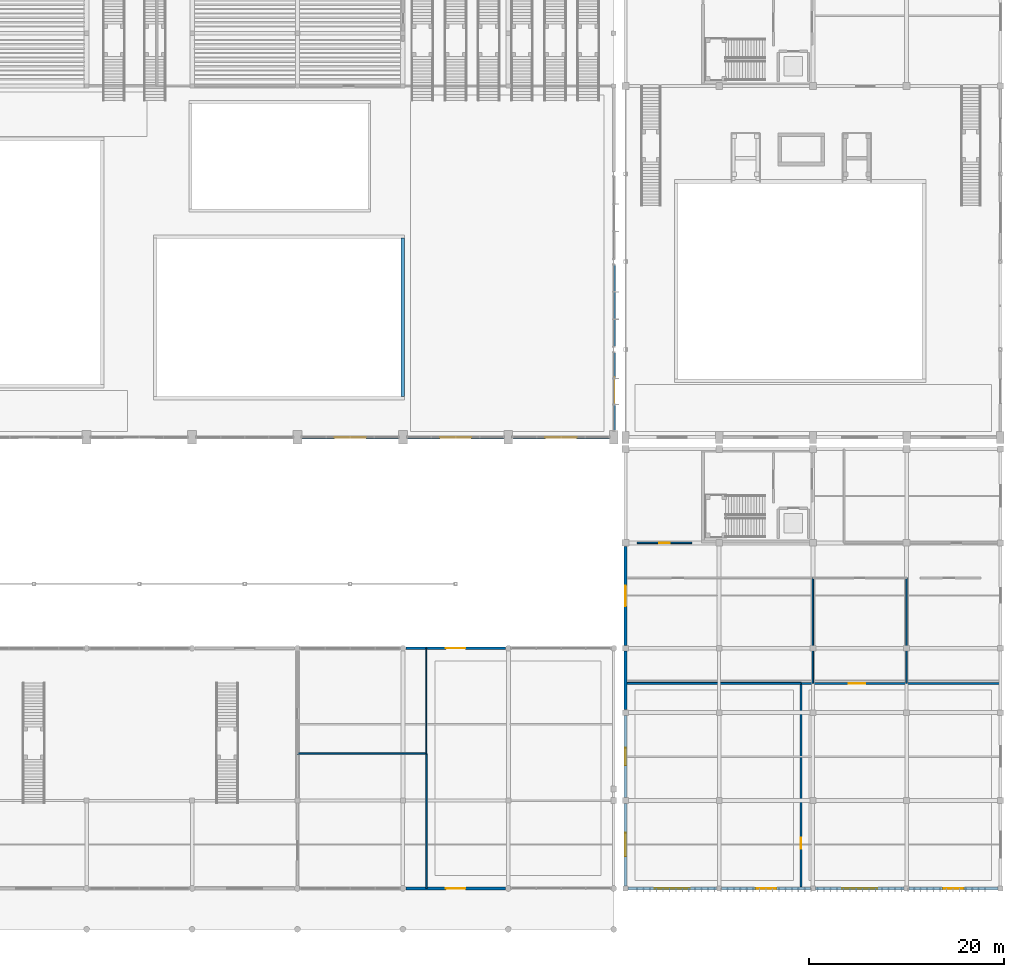
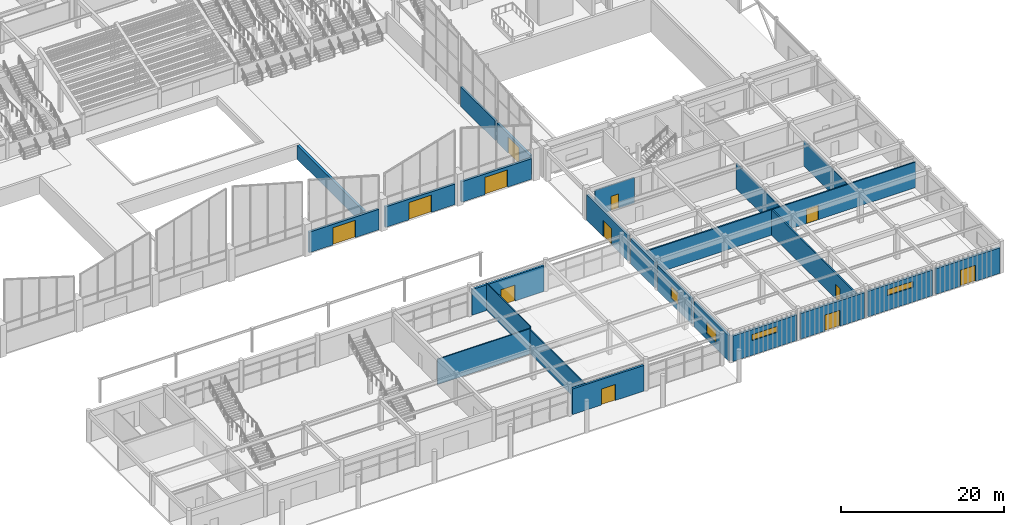
# One storey, part 57 of 82: 25 walls, 12 doors, 4 windows, 16 openings.
"""IFC4 building model written with IfcOpenShell, lengths in metres."""

from ifc_helpers import new_model, si_unit, direction, frame, frame_2d, origin, place, context, subcontext, project, spatial, rectangle, extrude, material, layer, layer_set, type_object, element, fill, save


model = new_model("IFC4")

# Units and contexts
model_context = context("Model", 3, precision=1e-05, world=origin(), true_north=direction((0.0, 1.0)))
body_context = subcontext(model_context, "Body", "Model", "MODEL_VIEW")
ifc_project = project(units=[si_unit("LENGTHUNIT", "METRE"), si_unit("AREAUNIT", "SQUARE_METRE"), si_unit("VOLUMEUNIT", "CUBIC_METRE"), si_unit("PLANEANGLEUNIT", "RADIAN"), si_unit("MASSUNIT", "GRAM", prefix="KILO")], contexts=[model_context])

# Site, building, storey
site_placement = place(None, origin())
site = spatial("IfcSite", under=ifc_project, at=site_placement, CompositionType="ELEMENT")
building_placement = place(site_placement, origin())
building = spatial("IfcBuilding", under=site, at=building_placement, Name="Suirenkawa Promenade Aquatics Centre", CompositionType="ELEMENT")
storey_placement = place(building_placement, origin())
storey = spatial("IfcBuildingStorey", under=building, at=storey_placement, Name="L00", CompositionType="ELEMENT", Elevation=0.0)

# Wall, opening, door
ifc_material_1 = material(Name="Autoclaved aerated concrete blockwork Grade 1", Category="masonry")
ifc_layer_1 = layer(ifc_material_1, 0.199951171875, Name="Autoclaved aerated concrete blockwork Grade 1", Category="masonry")
ifc_layer_set_1 = layer_set([ifc_layer_1], Name="Autoclaved aerated concrete blockwork Grade 1")
wall_type_1 = type_object("IfcWallType", Name="WT-COMP-200", PredefinedType="PARTITIONING", material=ifc_layer_set_1)
wall_1_placement = place(storey_placement, frame((174.0, 4.199951171875, 0.0), z_axis=(0.0, 0.0, 1.0), x_axis=(0.0, 1.0, 0.0)))
wall_1 = element("IfcWall", 1, at=wall_1_placement, inside=storey, type_object=wall_type_1, Name="Interior wall WL-PRT-01 W-7358", PredefinedType="PARTITIONING", context=body_context, shape_type="SweptSolid", body=[
    extrude(rectangle(XDim=21.0, YDim=0.199951171875, at=frame_2d((10.5, 0.0))), origin(), (0.0, 0.0, 1.0), 3.824951171875),
])
opening_1_placement = place(wall_1_placement, frame((4.044921875, 0.0, 0.0)))
opening_1 = element("IfcOpeningElement", 2, at=opening_1_placement, cuts=wall_1, Name="Opening ID-03", PredefinedType="OPENING", context=body_context, shape_type="SweptSolid", body=[
    extrude(rectangle(XDim=1.14990234375, YDim=2.199951171875, at=frame_2d((0.574951171875, 1.10009765625))), frame((0.0, 0.10986328125, 0.0), z_axis=(0.0, -1.0, 0.0), x_axis=(1.0, 0.0, 0.0)), (0.0, 0.0, 1.0), 0.219970703125),
])
ifc_material_2 = material(Name="Steel IS 2062 E350 (Grade 350)", Category="steel")
door_type_1 = type_object("IfcDoorType", Name="DT-FD120-1150x2200", OperationType="NOTDEFINED", PredefinedType="DOOR", material=ifc_material_2)
door_1_placement = place(opening_1_placement, origin())
door_1 = element("IfcDoor", 3, at=door_1_placement, inside=storey, type_object=door_type_1, Name="Interior door ID-03 DR-INT-0210", OperationType="SINGLE_SWING_RIGHT", OverallHeight=2.199951171875, OverallWidth=1.14990234375, PredefinedType="DOOR", context=body_context, shape_type="SweptSolid", body=[
    extrude(rectangle(XDim=1.14990234375, YDim=2.199951171875, at=frame_2d((0.574951171875, 1.10009765625))), frame((0.0, 0.02490234375, 0.0), z_axis=(0.0, -1.0, 0.0), x_axis=(1.0, 0.0, 0.0)), (0.0, 0.0, 1.0), 0.050048828125),
])
fill(opening_1, door_1)

# Wall
wall_2_placement = place(storey_placement, frame((156.0, 25.199951171875, 0.0), z_axis=(0.0, 0.0, 1.0), x_axis=(1.0, 0.0, 0.0)))
element("IfcWall", 4, at=wall_2_placement, inside=storey, type_object=wall_type_1, Name="Interior wall WL-PRT-01 W-7359", PredefinedType="PARTITIONING", context=body_context, shape_type="SweptSolid", body=[
    extrude(rectangle(XDim=18.0, YDim=0.199951171875, at=frame_2d((9.0, 0.0))), origin(), (0.0, 0.0, 1.0), 3.824951171875),
])

# Wall, opening, door
ifc_material_3 = material(Name="Concrete M40", Category="concrete")
ifc_layer_2 = layer(ifc_material_3, 0.2900390625, Name="Concrete M40", Category="concrete")
ifc_layer_set_2 = layer_set([ifc_layer_2], Name="Concrete M40")
wall_type_2 = type_object("IfcWallType", Name="WT-EXT-290", PredefinedType="SOLIDWALL", material=ifc_layer_set_2)
wall_3_placement = place(storey_placement, frame((143.695068359375, 4.199951171875, 0.0), z_axis=(0.0, 0.0, 1.0), x_axis=(-1.0, 0.0, 0.0)))
wall_3 = element("IfcWall", 5, at=wall_3_placement, inside=storey, type_object=wall_type_2, Name="Exterior wall WL-EXT-03 W-5045", PredefinedType="SOLIDWALL", context=body_context, shape_type="SweptSolid", body=[
    extrude(rectangle(XDim=10.190185546875, YDim=0.2900390625, at=frame_2d((5.09521484375, 0.0))), origin(), (0.0, 0.0, 1.0), 3.85009765625),
])
opening_2_placement = place(wall_3_placement, frame((4.094970703125, 0.0, 0.0)))
opening_2 = element("IfcOpeningElement", 6, at=opening_2_placement, cuts=wall_3, Name="Opening ED-06", PredefinedType="OPENING", context=body_context, shape_type="SweptSolid", body=[
    extrude(rectangle(XDim=2.0, YDim=2.39990234375, at=frame_2d((1.0, 1.199951171875))), frame((0.0, 0.155029296875, 0.0), z_axis=(0.0, -1.0, 0.0), x_axis=(1.0, 0.0, 0.0)), (0.0, 0.0, 1.0), 0.31005859375),
])
ifc_material_4 = material(Name="Anodised aluminium 6063-T6", Category="aluminium")
door_type_2 = type_object("IfcDoorType", Name="DT-EXT-CAFE-2000x2400", OperationType="DOUBLE_DOOR_SINGLE_SWING", PredefinedType="DOOR", material=ifc_material_4)
door_2_placement = place(opening_2_placement, origin())
door_2 = element("IfcDoor", 7, at=door_2_placement, inside=storey, type_object=door_type_2, Name="Exterior door ED-06 DR-EXT-029", OperationType="DOUBLE_DOOR_SINGLE_SWING", OverallHeight=2.39990234375, OverallWidth=2.0, PredefinedType="DOOR", context=body_context, shape_type="SweptSolid", body=[
    extrude(rectangle(XDim=2.0, YDim=2.39990234375, at=frame_2d((1.0, 1.199951171875))), frame((0.0, 0.02490234375, 0.0), z_axis=(0.0, -1.0, 0.0), x_axis=(1.0, 0.0, 0.0)), (0.0, 0.0, 1.0), 0.050048828125),
])
fill(opening_2, door_2)

wall_4_placement = place(storey_placement, frame((133.5048828125, 28.800048828125, 0.0), z_axis=(0.0, 0.0, 1.0), x_axis=(1.0, 0.0, 0.0)))
wall_4 = element("IfcWall", 8, at=wall_4_placement, inside=storey, type_object=wall_type_2, Name="Exterior wall WL-EXT-03 W-5046", PredefinedType="SOLIDWALL", context=body_context, shape_type="SweptSolid", body=[
    extrude(rectangle(XDim=10.190185546875, YDim=0.2900390625, at=frame_2d((5.09521484375, 0.0))), origin(), (0.0, 0.0, 1.0), 3.85009765625),
])
opening_3_placement = place(wall_4_placement, frame((4.094970703125, 0.0, 0.0)))
opening_3 = element("IfcOpeningElement", 9, at=opening_3_placement, cuts=wall_4, Name="Opening ED-06", PredefinedType="OPENING", context=body_context, shape_type="SweptSolid", body=[
    extrude(rectangle(XDim=2.0, YDim=2.39990234375, at=frame_2d((1.0, 1.199951171875))), frame((0.0, 0.155029296875, 0.0), z_axis=(0.0, -1.0, 0.0), x_axis=(1.0, 0.0, 0.0)), (0.0, 0.0, 1.0), 0.31005859375),
])
door_3_placement = place(opening_3_placement, origin())
door_3 = element("IfcDoor", 10, at=door_3_placement, inside=storey, type_object=door_type_2, Name="Exterior door ED-06 DR-EXT-030", OperationType="DOUBLE_DOOR_SINGLE_SWING", OverallHeight=2.39990234375, OverallWidth=2.0, PredefinedType="DOOR", context=body_context, shape_type="SweptSolid", body=[
    extrude(rectangle(XDim=2.0, YDim=2.39990234375, at=frame_2d((1.0, 1.199951171875))), frame((0.0, 0.02490234375, 0.0), z_axis=(0.0, -1.0, 0.0), x_axis=(1.0, 0.0, 0.0)), (0.0, 0.0, 1.0), 0.050048828125),
])
fill(opening_3, door_3)

# Wall, opening, window
wall_5_placement = place(storey_placement, frame((156.0, 4.455078125, 0.0), z_axis=(0.0, 0.0, 1.0), x_axis=(0.0, 1.0, 0.0)))
wall_5 = element("IfcWall", 11, at=wall_5_placement, inside=storey, type_object=wall_type_2, Name="Exterior wall WL-EXT-03 W-5063", PredefinedType="SOLIDWALL", context=body_context, shape_type="SweptSolid", body=[
    extrude(rectangle(XDim=8.43994140625, YDim=0.2900390625, at=frame_2d((4.219970703125, 0.0))), origin(), (0.0, 0.0, 1.0), 3.824951171875),
])
opening_4_placement = place(wall_5_placement, frame((3.02001953125, 0.0, 0.85009765625)))
opening_4 = element("IfcOpeningElement", 12, at=opening_4_placement, cuts=wall_5, Name="Opening WN-18", PredefinedType="OPENING", context=body_context, shape_type="SweptSolid", body=[
    extrude(rectangle(XDim=2.39990234375, YDim=1.800048828125, at=frame_2d((1.199951171875, 0.89990234375))), frame((0.0, 0.155029296875, 0.0), z_axis=(0.0, -1.0, 0.0), x_axis=(1.0, 0.0, 0.0)), (0.0, 0.0, 1.0), 0.31005859375),
])
ifc_material_5 = material(Name="Low-E thermally broken double glazing", Category="glass")
window_type_1 = type_object("IfcWindowType", Name="WNT-TALL-2400x1800", PartitioningType="SINGLE_PANEL", PredefinedType="WINDOW", material=ifc_material_5)
window_1_placement = place(opening_4_placement, origin())
window_1 = element("IfcWindow", 13, at=window_1_placement, inside=storey, type_object=window_type_1, Name="Window WN-18 WN-0020", OverallHeight=1.800048828125, OverallWidth=2.39990234375, PartitioningType="SINGLE_PANEL", PredefinedType="WINDOW", context=body_context, shape_type="SweptSolid", body=[
    extrude(rectangle(XDim=2.39990234375, YDim=1.800048828125, at=frame_2d((1.199951171875, 0.89990234375))), frame((0.0, 0.030029296875, 0.0), z_axis=(0.0, -1.0, 0.0), x_axis=(1.0, 0.0, 0.0)), (0.0, 0.0, 1.0), 0.06005859375),
])
fill(opening_4, window_1)

wall_6_placement = place(storey_placement, frame((156.0, 13.5048828125, 0.0), z_axis=(0.0, 0.0, 1.0), x_axis=(0.0, 1.0, 0.0)))
wall_6 = element("IfcWall", 14, at=wall_6_placement, inside=storey, type_object=wall_type_2, Name="Exterior wall WL-EXT-03 W-5065", PredefinedType="SOLIDWALL", context=body_context, shape_type="SweptSolid", body=[
    extrude(rectangle(XDim=8.39013671875, YDim=0.2900390625, at=frame_2d((4.195068359375, 0.0))), origin(), (0.0, 0.0, 1.0), 3.824951171875),
])
opening_5_placement = place(wall_6_placement, frame((3.294921875, 0.0, 0.85009765625)))
opening_5 = element("IfcOpeningElement", 15, at=opening_5_placement, cuts=wall_6, Name="Opening WN-20", PredefinedType="OPENING", context=body_context, shape_type="SweptSolid", body=[
    extrude(rectangle(XDim=1.800048828125, YDim=1.800048828125, at=frame_2d((0.89990234375, 0.89990234375))), frame((0.0, 0.155029296875, 0.0), z_axis=(0.0, -1.0, 0.0), x_axis=(1.0, 0.0, 0.0)), (0.0, 0.0, 1.0), 0.31005859375),
])
window_type_2 = type_object("IfcWindowType", Name="WNT-TALL-1800x1800", PartitioningType="SINGLE_PANEL", PredefinedType="WINDOW", material=ifc_material_5)
window_2_placement = place(opening_5_placement, origin())
window_2 = element("IfcWindow", 16, at=window_2_placement, inside=storey, type_object=window_type_2, Name="Window WN-20 WN-0022", OverallHeight=1.800048828125, OverallWidth=1.800048828125, PartitioningType="SINGLE_PANEL", PredefinedType="WINDOW", context=body_context, shape_type="SweptSolid", body=[
    extrude(rectangle(XDim=1.800048828125, YDim=1.800048828125, at=frame_2d((0.89990234375, 0.89990234375))), frame((0.0, 0.030029296875, 0.0), z_axis=(0.0, -1.0, 0.0), x_axis=(1.0, 0.0, 0.0)), (0.0, 0.0, 1.0), 0.06005859375),
])
fill(opening_5, window_2)

# Wall
wall_7_placement = place(storey_placement, frame((156.0, 22.5048828125, 0.0), z_axis=(0.0, 0.0, 1.0), x_axis=(0.0, 1.0, 0.0)))
element("IfcWall", 17, at=wall_7_placement, inside=storey, type_object=wall_type_2, Name="Exterior wall WL-EXT-03 W-5067", PredefinedType="SOLIDWALL", context=body_context, shape_type="SweptSolid", body=[
    extrude(rectangle(XDim=5.990234375, YDim=0.2900390625, at=frame_2d((2.9951171875, 0.0))), origin(), (0.0, 0.0, 1.0), 3.824951171875),
])

# Wall, opening, door
wall_8_placement = place(storey_placement, frame((156.0, 29.10498046875, 0.0), z_axis=(0.0, 0.0, 1.0), x_axis=(0.0, 1.0, 0.0)))
wall_8 = element("IfcWall", 18, at=wall_8_placement, inside=storey, type_object=wall_type_2, Name="Exterior wall WL-EXT-03 W-5069", PredefinedType="SOLIDWALL", context=body_context, shape_type="SweptSolid", body=[
    extrude(rectangle(XDim=10.14013671875, YDim=0.2900390625, at=frame_2d((5.070068359375, 0.0))), origin(), (0.0, 0.0, 1.0), 3.824951171875),
])
opening_6_placement = place(wall_8_placement, frame((4.02001953125, 0.0, 0.0)))
opening_6 = element("IfcOpeningElement", 19, at=opening_6_placement, cuts=wall_8, Name="Opening ED-05", PredefinedType="OPENING", context=body_context, shape_type="SweptSolid", body=[
    extrude(rectangle(XDim=2.10009765625, YDim=2.39990234375, at=frame_2d((1.050048828125, 1.199951171875))), frame((0.0, 0.155029296875, 0.0), z_axis=(0.0, -1.0, 0.0), x_axis=(1.0, 0.0, 0.0)), (0.0, 0.0, 1.0), 0.31005859375),
])
door_type_3 = type_object("IfcDoorType", Name="DT-EXT-EXIT-2100x2400", OperationType="DOUBLE_DOOR_SINGLE_SWING", PredefinedType="DOOR", material=ifc_material_4)
door_4_placement = place(opening_6_placement, origin())
door_4 = element("IfcDoor", 20, at=door_4_placement, inside=storey, type_object=door_type_3, Name="Exterior door ED-05 DR-EXT-038", OperationType="DOUBLE_DOOR_SINGLE_SWING", OverallHeight=2.39990234375, OverallWidth=2.10009765625, PredefinedType="DOOR", context=body_context, shape_type="SweptSolid", body=[
    extrude(rectangle(XDim=2.10009765625, YDim=2.39990234375, at=frame_2d((1.050048828125, 1.199951171875))), frame((0.0, 0.02490234375, 0.0), z_axis=(0.0, -1.0, 0.0), x_axis=(1.0, 0.0, 0.0)), (0.0, 0.0, 1.0), 0.050048828125),
])
fill(opening_6, door_4)

ifc_layer_3 = layer(ifc_material_3, 0.31005859375, Name="Concrete M40", Category="concrete")
ifc_layer_set_3 = layer_set([ifc_layer_3], Name="Concrete M40")
wall_type_3 = type_object("IfcWallType", Name="WT-EXT-310", PredefinedType="SOLIDWALL", material=ifc_layer_set_3)
wall_9_placement = place(storey_placement, frame((154.800048828125, 59.169921875, 0.0), z_axis=(0.0, 0.0, 1.0), x_axis=(0.0, -1.0, 0.0)))
wall_9 = element("IfcWall", 21, at=wall_9_placement, inside=storey, type_object=wall_type_3, Name="Exterior wall WL-EXT-02 W-5018", PredefinedType="SOLIDWALL", context=body_context, shape_type="SweptSolid", body=[
    extrude(rectangle(XDim=8.06494140625, YDim=0.31005859375, at=frame_2d((4.032470703125, 0.0))), origin(), (0.0, 0.0, 1.0), 2.929931640625),
])
opening_7_placement = place(wall_9_placement, frame((2.633056640625, 0.0, 0.0)))
opening_7 = element("IfcOpeningElement", 22, at=opening_7_placement, cuts=wall_9, Name="Opening ED-03", PredefinedType="OPENING", context=body_context, shape_type="SweptSolid", body=[
    extrude(rectangle(XDim=2.800048828125, YDim=2.5, at=frame_2d((1.39990234375, 1.25))), frame((0.0, 0.1650390625, 0.0), z_axis=(0.0, -1.0, 0.0), x_axis=(1.0, 0.0, 0.0)), (0.0, 0.0, 1.0), 0.330078125),
])
door_type_4 = type_object("IfcDoorType", Name="DT-EXT-EXIT-2800x2500", OperationType="DOUBLE_DOOR_SINGLE_SWING", PredefinedType="DOOR", material=ifc_material_4)
door_5_placement = place(opening_7_placement, origin())
door_5 = element("IfcDoor", 23, at=door_5_placement, inside=storey, type_object=door_type_4, Name="Exterior door ED-03 DR-EXT-015", OperationType="DOUBLE_DOOR_SINGLE_SWING", OverallHeight=2.5, OverallWidth=2.800048828125, PredefinedType="DOOR", context=body_context, shape_type="SweptSolid", body=[
    extrude(rectangle(XDim=2.800048828125, YDim=2.5, at=frame_2d((1.39990234375, 1.25))), frame((0.0, 0.02490234375, 0.0), z_axis=(0.0, -1.0, 0.0), x_axis=(1.0, 0.0, 0.0)), (0.0, 0.0, 1.0), 0.050048828125),
])
fill(opening_7, door_5)

# Wall
wall_10_placement = place(storey_placement, frame((154.800048828125, 68.169921875, 0.0), z_axis=(0.0, 0.0, 1.0), x_axis=(0.0, -1.0, 0.0)))
element("IfcWall", 24, at=wall_10_placement, inside=storey, type_object=wall_type_3, Name="Exterior wall WL-EXT-02 W-5020", PredefinedType="SOLIDWALL", context=body_context, shape_type="SweptSolid", body=[
    extrude(rectangle(XDim=8.5400390625, YDim=0.31005859375, at=frame_2d((4.27001953125, 0.0))), origin(), (0.0, 0.0, 1.0), 2.929931640625),
])

# Wall, opening, window
wall_11_placement = place(storey_placement, frame((165.344970703125, 4.199951171875, 0.0), z_axis=(0.0, 0.0, 1.0), x_axis=(-1.0, 0.0, 0.0)))
wall_11 = element("IfcWall", 25, at=wall_11_placement, inside=storey, type_object=wall_type_3, Name="Exterior wall WL-EXT-02 W-5048", PredefinedType="SOLIDWALL", context=body_context, shape_type="SweptSolid", body=[
    extrude(rectangle(XDim=9.090087890625, YDim=0.31005859375, at=frame_2d((4.544921875, 0.0))), origin(), (0.0, 0.0, 1.0), 3.824951171875),
])
opening_8_placement = place(wall_11_placement, frame((2.7451171875, 0.0, 2.199951171875)))
opening_8 = element("IfcOpeningElement", 26, at=opening_8_placement, cuts=wall_11, Name="Opening WN-01", PredefinedType="OPENING", context=body_context, shape_type="SweptSolid", body=[
    extrude(rectangle(XDim=3.60009765625, YDim=0.89990234375, at=frame_2d((1.800048828125, 0.449951171875))), frame((0.0, 0.1650390625, 0.0), z_axis=(0.0, -1.0, 0.0), x_axis=(1.0, 0.0, 0.0)), (0.0, 0.0, 1.0), 0.330078125),
])
window_type_3 = type_object("IfcWindowType", Name="WNT-RIB-3600x900", PartitioningType="SINGLE_PANEL", PredefinedType="WINDOW", material=ifc_material_5)
window_3_placement = place(opening_8_placement, origin())
window_3 = element("IfcWindow", 27, at=window_3_placement, inside=storey, type_object=window_type_3, Name="Window WN-01 WN-0011", OverallHeight=0.89990234375, OverallWidth=3.60009765625, PartitioningType="SINGLE_PANEL", PredefinedType="WINDOW", context=body_context, shape_type="SweptSolid", body=[
    extrude(rectangle(XDim=3.60009765625, YDim=0.89990234375, at=frame_2d((1.800048828125, 0.449951171875))), frame((0.0, 0.030029296875, 0.0), z_axis=(0.0, -1.0, 0.0), x_axis=(1.0, 0.0, 0.0)), (0.0, 0.0, 1.0), 0.06005859375),
])
fill(opening_8, window_3)

# Wall, opening, door
wall_12_placement = place(storey_placement, frame((174.945068359375, 4.199951171875, 0.0), z_axis=(0.0, 0.0, 1.0), x_axis=(-1.0, 0.0, 0.0)))
wall_12 = element("IfcWall", 28, at=wall_12_placement, inside=storey, type_object=wall_type_3, Name="Exterior wall WL-EXT-02 W-5052", PredefinedType="SOLIDWALL", context=body_context, shape_type="SweptSolid", body=[
    extrude(rectangle(XDim=9.090087890625, YDim=0.31005859375, at=frame_2d((4.544921875, 0.0))), origin(), (0.0, 0.0, 1.0), 3.824951171875),
])
opening_9_placement = place(wall_12_placement, frame((3.4951171875, 0.0, 0.0)))
opening_9 = element("IfcOpeningElement", 29, at=opening_9_placement, cuts=wall_12, Name="Opening ED-05", PredefinedType="OPENING", context=body_context, shape_type="SweptSolid", body=[
    extrude(rectangle(XDim=2.10009765625, YDim=2.39990234375, at=frame_2d((1.050048828125, 1.199951171875))), frame((0.0, 0.1650390625, 0.0), z_axis=(0.0, -1.0, 0.0), x_axis=(1.0, 0.0, 0.0)), (0.0, 0.0, 1.0), 0.330078125),
])
door_6_placement = place(opening_9_placement, origin())
door_6 = element("IfcDoor", 30, at=door_6_placement, inside=storey, type_object=door_type_3, Name="Exterior door ED-05 DR-EXT-033", OperationType="DOUBLE_DOOR_SINGLE_SWING", OverallHeight=2.39990234375, OverallWidth=2.10009765625, PredefinedType="DOOR", context=body_context, shape_type="SweptSolid", body=[
    extrude(rectangle(XDim=2.10009765625, YDim=2.39990234375, at=frame_2d((1.050048828125, 1.199951171875))), frame((0.0, 0.02490234375, 0.0), z_axis=(0.0, -1.0, 0.0), x_axis=(1.0, 0.0, 0.0)), (0.0, 0.0, 1.0), 0.050048828125),
])
fill(opening_9, door_6)

# Wall, opening, window
wall_13_placement = place(storey_placement, frame((184.544921875, 4.199951171875, 0.0), z_axis=(0.0, 0.0, 1.0), x_axis=(-1.0, 0.0, 0.0)))
wall_13 = element("IfcWall", 31, at=wall_13_placement, inside=storey, type_object=wall_type_3, Name="Exterior wall WL-EXT-02 W-5055", PredefinedType="SOLIDWALL", context=body_context, shape_type="SweptSolid", body=[
    extrude(rectangle(XDim=9.08984375, YDim=0.31005859375, at=frame_2d((4.544921875, 0.0))), origin(), (0.0, 0.0, 1.0), 3.824951171875),
])
opening_10_placement = place(wall_13_placement, frame((2.7451171875, 0.0, 2.199951171875)))
opening_10 = element("IfcOpeningElement", 32, at=opening_10_placement, cuts=wall_13, Name="Opening WN-01", PredefinedType="OPENING", context=body_context, shape_type="SweptSolid", body=[
    extrude(rectangle(XDim=3.60009765625, YDim=0.89990234375, at=frame_2d((1.800048828125, 0.449951171875))), frame((0.0, 0.1650390625, 0.0), z_axis=(0.0, -1.0, 0.0), x_axis=(1.0, 0.0, 0.0)), (0.0, 0.0, 1.0), 0.330078125),
])
window_4_placement = place(opening_10_placement, origin())
window_4 = element("IfcWindow", 33, at=window_4_placement, inside=storey, type_object=window_type_3, Name="Window WN-01 WN-0015", OverallHeight=0.89990234375, OverallWidth=3.60009765625, PartitioningType="SINGLE_PANEL", PredefinedType="WINDOW", context=body_context, shape_type="SweptSolid", body=[
    extrude(rectangle(XDim=3.60009765625, YDim=0.89990234375, at=frame_2d((1.800048828125, 0.449951171875))), frame((0.0, 0.030029296875, 0.0), z_axis=(0.0, -1.0, 0.0), x_axis=(1.0, 0.0, 0.0)), (0.0, 0.0, 1.0), 0.06005859375),
])
fill(opening_10, window_4)

# Wall, opening, door
wall_14_placement = place(storey_placement, frame((194.14501953125, 4.199951171875, 0.0), z_axis=(0.0, 0.0, 1.0), x_axis=(-1.0, 0.0, 0.0)))
wall_14 = element("IfcWall", 34, at=wall_14_placement, inside=storey, type_object=wall_type_3, Name="Exterior wall WL-EXT-02 W-5059", PredefinedType="SOLIDWALL", context=body_context, shape_type="SweptSolid", body=[
    extrude(rectangle(XDim=9.090087890625, YDim=0.31005859375, at=frame_2d((4.544921875, 0.0))), origin(), (0.0, 0.0, 1.0), 3.824951171875),
])
opening_11_placement = place(wall_14_placement, frame((3.4951171875, 0.0, 0.0)))
opening_11 = element("IfcOpeningElement", 35, at=opening_11_placement, cuts=wall_14, Name="Opening ED-05", PredefinedType="OPENING", context=body_context, shape_type="SweptSolid", body=[
    extrude(rectangle(XDim=2.10009765625, YDim=2.39990234375, at=frame_2d((1.050048828125, 1.199951171875))), frame((0.0, 0.1650390625, 0.0), z_axis=(0.0, -1.0, 0.0), x_axis=(1.0, 0.0, 0.0)), (0.0, 0.0, 1.0), 0.330078125),
])
door_7_placement = place(opening_11_placement, origin())
door_7 = element("IfcDoor", 36, at=door_7_placement, inside=storey, type_object=door_type_3, Name="Exterior door ED-05 DR-EXT-037", OperationType="DOUBLE_DOOR_SINGLE_SWING", OverallHeight=2.39990234375, OverallWidth=2.10009765625, PredefinedType="DOOR", context=body_context, shape_type="SweptSolid", body=[
    extrude(rectangle(XDim=2.10009765625, YDim=2.39990234375, at=frame_2d((1.050048828125, 1.199951171875))), frame((0.0, 0.02490234375, 0.0), z_axis=(0.0, -1.0, 0.0), x_axis=(1.0, 0.0, 0.0)), (0.0, 0.0, 1.0), 0.050048828125),
])
fill(opening_11, door_7)

ifc_layer_4 = layer(ifc_material_3, 0.340087890625, Name="Concrete M40", Category="concrete")
ifc_layer_set_4 = layer_set([ifc_layer_4], Name="Concrete M40")
wall_type_4 = type_object("IfcWallType", Name="WT-EXT-340", PredefinedType="SOLIDWALL", material=ifc_layer_set_4)
wall_15_placement = place(storey_placement, frame((132.7451171875, 50.39990234375, 0.0), z_axis=(0.0, 0.0, 1.0), x_axis=(-1.0, 0.0, 0.0)))
wall_15 = element("IfcWall", 37, at=wall_15_placement, inside=storey, type_object=wall_type_4, Name="Exterior wall WL-EXT-01 W-5013", PredefinedType="SOLIDWALL", context=body_context, shape_type="SweptSolid", body=[
    extrude(rectangle(XDim=9.89013671875, YDim=0.340087890625, at=frame_2d((4.945068359375, 0.0))), origin(), (0.0, 0.0, 1.0), 3.080078125),
])
opening_12_placement = place(wall_15_placement, frame((3.344970703125, 0.0, 0.0)))
opening_12 = element("IfcOpeningElement", 38, at=opening_12_placement, cuts=wall_15, Name="Opening ED-02", PredefinedType="OPENING", context=body_context, shape_type="SweptSolid", body=[
    extrude(rectangle(XDim=3.199951171875, YDim=2.60009765625, at=frame_2d((1.60009765625, 1.300048828125))), frame((0.0, 0.179931640625, 0.0), z_axis=(0.0, -1.0, 0.0), x_axis=(1.0, 0.0, 0.0)), (0.0, 0.0, 1.0), 0.360107421875),
])
door_type_5 = type_object("IfcDoorType", Name="DT-EXT-CONC-3200x2600", OperationType="DOUBLE_DOOR_SINGLE_SWING", PredefinedType="DOOR", material=ifc_material_4)
door_8_placement = place(opening_12_placement, origin())
door_8 = element("IfcDoor", 39, at=door_8_placement, inside=storey, type_object=door_type_5, Name="Exterior door ED-02 DR-EXT-010", OperationType="DOUBLE_DOOR_SINGLE_SWING", OverallHeight=2.60009765625, OverallWidth=3.199951171875, PredefinedType="DOOR", context=body_context, shape_type="SweptSolid", body=[
    extrude(rectangle(XDim=3.199951171875, YDim=2.60009765625, at=frame_2d((1.60009765625, 1.300048828125))), frame((0.0, 0.02490234375, 0.0), z_axis=(0.0, -1.0, 0.0), x_axis=(1.0, 0.0, 0.0)), (0.0, 0.0, 1.0), 0.050048828125),
])
fill(opening_12, door_8)

wall_16_placement = place(storey_placement, frame((143.544921875, 50.39990234375, 0.0), z_axis=(0.0, 0.0, 1.0), x_axis=(-1.0, 0.0, 0.0)))
wall_16 = element("IfcWall", 40, at=wall_16_placement, inside=storey, type_object=wall_type_4, Name="Exterior wall WL-EXT-01 W-5014", PredefinedType="SOLIDWALL", context=body_context, shape_type="SweptSolid", body=[
    extrude(rectangle(XDim=9.889892578125, YDim=0.340087890625, at=frame_2d((4.94482421875, 0.0))), origin(), (0.0, 0.0, 1.0), 3.080078125),
])
opening_13_placement = place(wall_16_placement, frame((3.344970703125, 0.0, 0.0)))
opening_13 = element("IfcOpeningElement", 41, at=opening_13_placement, cuts=wall_16, Name="Opening ED-02", PredefinedType="OPENING", context=body_context, shape_type="SweptSolid", body=[
    extrude(rectangle(XDim=3.199951171875, YDim=2.60009765625, at=frame_2d((1.60009765625, 1.300048828125))), frame((0.0, 0.179931640625, 0.0), z_axis=(0.0, -1.0, 0.0), x_axis=(1.0, 0.0, 0.0)), (0.0, 0.0, 1.0), 0.360107421875),
])
door_9_placement = place(opening_13_placement, origin())
door_9 = element("IfcDoor", 42, at=door_9_placement, inside=storey, type_object=door_type_5, Name="Exterior door ED-02 DR-EXT-011", OperationType="DOUBLE_DOOR_SINGLE_SWING", OverallHeight=2.60009765625, OverallWidth=3.199951171875, PredefinedType="DOOR", context=body_context, shape_type="SweptSolid", body=[
    extrude(rectangle(XDim=3.199951171875, YDim=2.60009765625, at=frame_2d((1.60009765625, 1.300048828125))), frame((0.0, 0.02490234375, 0.0), z_axis=(0.0, -1.0, 0.0), x_axis=(1.0, 0.0, 0.0)), (0.0, 0.0, 1.0), 0.050048828125),
])
fill(opening_13, door_9)

wall_17_placement = place(storey_placement, frame((154.344970703125, 50.39990234375, 0.0), z_axis=(0.0, 0.0, 1.0), x_axis=(-1.0, 0.0, 0.0)))
wall_17 = element("IfcWall", 43, at=wall_17_placement, inside=storey, type_object=wall_type_4, Name="Exterior wall WL-EXT-01 W-5015", PredefinedType="SOLIDWALL", context=body_context, shape_type="SweptSolid", body=[
    extrude(rectangle(XDim=9.889892578125, YDim=0.340087890625, at=frame_2d((4.94482421875, 0.0))), origin(), (0.0, 0.0, 1.0), 3.080078125),
])
opening_14_placement = place(wall_17_placement, frame((3.344970703125, 0.0, 0.0)))
opening_14 = element("IfcOpeningElement", 44, at=opening_14_placement, cuts=wall_17, Name="Opening ED-02", PredefinedType="OPENING", context=body_context, shape_type="SweptSolid", body=[
    extrude(rectangle(XDim=3.199951171875, YDim=2.60009765625, at=frame_2d((1.60009765625, 1.300048828125))), frame((0.0, 0.179931640625, 0.0), z_axis=(0.0, -1.0, 0.0), x_axis=(1.0, 0.0, 0.0)), (0.0, 0.0, 1.0), 0.360107421875),
])
door_10_placement = place(opening_14_placement, origin())
door_10 = element("IfcDoor", 45, at=door_10_placement, inside=storey, type_object=door_type_5, Name="Exterior door ED-02 DR-EXT-012", OperationType="DOUBLE_DOOR_SINGLE_SWING", OverallHeight=2.60009765625, OverallWidth=3.199951171875, PredefinedType="DOOR", context=body_context, shape_type="SweptSolid", body=[
    extrude(rectangle(XDim=3.199951171875, YDim=2.60009765625, at=frame_2d((1.60009765625, 1.300048828125))), frame((0.0, 0.02490234375, 0.0), z_axis=(0.0, -1.0, 0.0), x_axis=(1.0, 0.0, 0.0)), (0.0, 0.0, 1.0), 0.050048828125),
])
fill(opening_14, door_10)

ifc_layer_5 = layer(ifc_material_1, 0.179931640625, Name="Autoclaved aerated concrete blockwork Grade 1", Category="masonry")
ifc_layer_set_5 = layer_set([ifc_layer_5], Name="Autoclaved aerated concrete blockwork Grade 1")
wall_type_5 = type_object("IfcWallType", Name="WT-FIRE-180", PredefinedType="PARTITIONING", material=ifc_layer_set_5)
wall_18_placement = place(storey_placement, frame((174.0, 25.199951171875, 0.0), z_axis=(0.0, 0.0, 1.0), x_axis=(1.0, 0.0, 0.0)))
wall_18 = element("IfcWall", 46, at=wall_18_placement, inside=storey, type_object=wall_type_5, Name="Interior wall WL-PRT-02 W-7360", PredefinedType="PARTITIONING", context=body_context, shape_type="SweptSolid", body=[
    extrude(rectangle(XDim=20.39990234375, YDim=0.179931640625, at=frame_2d((10.199951171875, 0.0))), origin(), (0.0, 0.0, 1.0), 3.824951171875),
])
opening_15_placement = place(wall_18_placement, frame((4.886962890625, 0.0, 0.0)))
opening_15 = element("IfcOpeningElement", 47, at=opening_15_placement, cuts=wall_18, Name="Opening ID-05", PredefinedType="OPENING", context=body_context, shape_type="SweptSolid", body=[
    extrude(rectangle(XDim=1.64990234375, YDim=2.199951171875, at=frame_2d((0.824951171875, 1.10009765625))), frame((0.0, 0.099853515625, 0.0), z_axis=(0.0, -1.0, 0.0), x_axis=(1.0, 0.0, 0.0)), (0.0, 0.0, 1.0), 0.199951171875),
])
ifc_material_6 = material(Name="Engineered maple acoustic sports timber", Category="wood")
door_type_6 = type_object("IfcDoorType", Name="DT-FD60-1650x2200", OperationType="DOUBLE_DOOR_SINGLE_SWING", PredefinedType="DOOR", material=ifc_material_6)
door_11_placement = place(opening_15_placement, origin())
door_11 = element("IfcDoor", 48, at=door_11_placement, inside=storey, type_object=door_type_6, Name="Interior door ID-05 DR-INT-0211", OperationType="DOUBLE_DOOR_SINGLE_SWING", OverallHeight=2.199951171875, OverallWidth=1.64990234375, PredefinedType="DOOR", context=body_context, shape_type="SweptSolid", body=[
    extrude(rectangle(XDim=1.64990234375, YDim=2.199951171875, at=frame_2d((0.824951171875, 1.10009765625))), frame((0.0, 0.02490234375, 0.0), z_axis=(0.0, -1.0, 0.0), x_axis=(1.0, 0.0, 0.0)), (0.0, 0.0, 1.0), 0.050048828125),
])
fill(opening_15, door_11)

# Walls
ifc_material_7 = material(Name="Moisture-resistant acoustic gypsum board")
ifc_layer_6 = layer(ifc_material_7, 0.1201171875, Name="Moisture-resistant acoustic gypsum board")
ifc_layer_set_6 = layer_set([ifc_layer_6], Name="Moisture-resistant acoustic gypsum board")
wall_type_6 = type_object("IfcWallType", Name="WT-LIGHT-120", PredefinedType="PARTITIONING", material=ifc_layer_set_6)
wall_19_placement = place(storey_placement, frame((135.60009765625, 18.0, 0.0), z_axis=(0.0, 0.0, 1.0), x_axis=(0.0, 1.0, 0.0)))
element("IfcWall", 49, at=wall_19_placement, inside=storey, type_object=wall_type_6, Name="Interior wall WL-PRT-05 W-7355", PredefinedType="PARTITIONING", context=body_context, shape_type="SweptSolid", body=[
    extrude(rectangle(XDim=10.800048828125, YDim=0.1201171875, at=frame_2d((5.39990234375, 0.0))), origin(), (0.0, 0.0, 1.0), 4.0849609375),
])
ifc_layer_7 = layer(ifc_material_7, 0.139892578125, Name="Moisture-resistant acoustic gypsum board")
ifc_layer_set_7 = layer_set([ifc_layer_7], Name="Moisture-resistant acoustic gypsum board")
wall_type_7 = type_object("IfcWallType", Name="WT-STD-140", PredefinedType="PARTITIONING", material=ifc_layer_set_7)
wall_20_placement = place(storey_placement, frame((184.800048828125, 25.199951171875, 0.0), z_axis=(0.0, 0.0, 1.0), x_axis=(0.0, 1.0, 0.0)))
element("IfcWall", 50, at=wall_20_placement, inside=storey, type_object=wall_type_7, Name="Interior wall WL-PRT-04 W-7364", PredefinedType="PARTITIONING", context=body_context, shape_type="SweptSolid", body=[
    extrude(rectangle(XDim=10.800048828125, YDim=0.139892578125, at=frame_2d((5.39990234375, 0.0))), origin(), (0.0, 0.0, 1.0), 3.77490234375),
])
ifc_material_8 = material(Name="Waterproof concrete M40", Category="concrete")
ifc_layer_8 = layer(ifc_material_8, 0.35009765625, Name="Waterproof concrete M40", Category="concrete")
ifc_layer_set_8 = layer_set([ifc_layer_8], Name="Waterproof concrete M40")
wall_type_8 = type_object("IfcWallType", Name="WT-TANK-350", PredefinedType="USERDEFINED", material=ifc_layer_set_8)
wall_21_placement = place(storey_placement, frame((133.195068359375, 54.60009765625, -2.0), z_axis=(0.0, 0.0, 1.0), x_axis=(0.0, 1.0, 0.0)))
element("IfcWall", 51, at=wall_21_placement, inside=storey, type_object=wall_type_8, Name="25m Training and Warm-Up Pool east tank wall WL-RET-03 W-0024", ObjectType="RETAININGWALL", PredefinedType="USERDEFINED", context=body_context, shape_type="SweptSolid", body=[
    extrude(rectangle(XDim=16.199951171875, YDim=0.35009765625, at=frame_2d((8.10009765625, 0.0))), origin(), (0.0, 0.0, 1.0), 2.080078125),
])

# Wall, opening, door
ifc_layer_9 = layer(ifc_material_1, 0.159912109375, Name="Autoclaved aerated concrete blockwork Grade 1", Category="masonry")
ifc_layer_set_9 = layer_set([ifc_layer_9], Name="Autoclaved aerated concrete blockwork Grade 1")
wall_type_9 = type_object("IfcWallType", Name="WT-WET-160", PredefinedType="PARTITIONING", material=ifc_layer_set_9)
wall_22_placement = place(storey_placement, frame((157.199951171875, 39.60009765625, 0.0), z_axis=(0.0, 0.0, 1.0), x_axis=(1.0, 0.0, 0.0)))
wall_22 = element("IfcWall", 52, at=wall_22_placement, inside=storey, type_object=wall_type_9, Name="Interior wall WL-PRT-03 W-7174", PredefinedType="PARTITIONING", context=body_context, shape_type="SweptSolid", body=[
    extrude(rectangle(XDim=5.60009765625, YDim=0.159912109375, at=frame_2d((2.800048828125, 0.0))), origin(), (0.0, 0.0, 1.0), 3.824951171875),
])
opening_16_placement = place(wall_22_placement, frame((2.25, 0.0, 0.0)))
opening_16 = element("IfcOpeningElement", 53, at=opening_16_placement, cuts=wall_22, Name="Opening ID-06", PredefinedType="OPENING", context=body_context, shape_type="SweptSolid", body=[
    extrude(rectangle(XDim=1.10009765625, YDim=2.14990234375, at=frame_2d((0.550048828125, 1.074951171875))), frame((0.0, 0.08984375, 0.0), z_axis=(0.0, -1.0, 0.0), x_axis=(1.0, 0.0, 0.0)), (0.0, 0.0, 1.0), 0.179931640625),
])
door_type_7 = type_object("IfcDoorType", Name="DT-FD60-1100x2150", OperationType="NOTDEFINED", PredefinedType="DOOR", material=ifc_material_6)
door_12_placement = place(opening_16_placement, origin())
door_12 = element("IfcDoor", 54, at=door_12_placement, inside=storey, type_object=door_type_7, Name="Interior door ID-06 DR-INT-0111", OperationType="SINGLE_SWING_LEFT", OverallHeight=2.14990234375, OverallWidth=1.10009765625, PredefinedType="DOOR", context=body_context, shape_type="SweptSolid", body=[
    extrude(rectangle(XDim=1.10009765625, YDim=2.14990234375, at=frame_2d((0.550048828125, 1.074951171875))), frame((0.0, 0.02490234375, 0.0), z_axis=(0.0, -1.0, 0.0), x_axis=(1.0, 0.0, 0.0)), (0.0, 0.0, 1.0), 0.050048828125),
])
fill(opening_16, door_12)

# Walls
wall_23_placement = place(storey_placement, frame((135.60009765625, 4.199951171875, 0.0), z_axis=(0.0, 0.0, 1.0), x_axis=(0.0, 1.0, 0.0)))
element("IfcWall", 55, at=wall_23_placement, inside=storey, type_object=wall_type_9, Name="Interior wall WL-PRT-03 W-7352", PredefinedType="PARTITIONING", context=body_context, shape_type="SweptSolid", body=[
    extrude(rectangle(XDim=13.800048828125, YDim=0.159912109375, at=frame_2d((6.89990234375, 0.0))), origin(), (0.0, 0.0, 1.0), 3.635009765625),
])
wall_24_placement = place(storey_placement, frame((122.39990234375, 18.0, 0.0), z_axis=(0.0, 0.0, 1.0), x_axis=(1.0, 0.0, 0.0)))
element("IfcWall", 56, at=wall_24_placement, inside=storey, type_object=wall_type_9, Name="Interior wall WL-PRT-03 W-7353", PredefinedType="PARTITIONING", context=body_context, shape_type="SweptSolid", body=[
    extrude(rectangle(XDim=13.2001953125, YDim=0.159912109375, at=frame_2d((6.60009765625, 0.0))), origin(), (0.0, 0.0, 1.0), 3.784912109375),
])
wall_25_placement = place(storey_placement, frame((175.199951171875, 25.199951171875, 0.0), z_axis=(0.0, 0.0, 1.0), x_axis=(0.0, 1.0, 0.0)))
element("IfcWall", 57, at=wall_25_placement, inside=storey, type_object=wall_type_9, Name="Interior wall WL-PRT-03 W-7362", PredefinedType="PARTITIONING", context=body_context, shape_type="SweptSolid", body=[
    extrude(rectangle(XDim=10.800048828125, YDim=0.159912109375, at=frame_2d((5.39990234375, 0.0))), origin(), (0.0, 0.0, 1.0), 3.77490234375),
])

save(model, "model.ifc")
